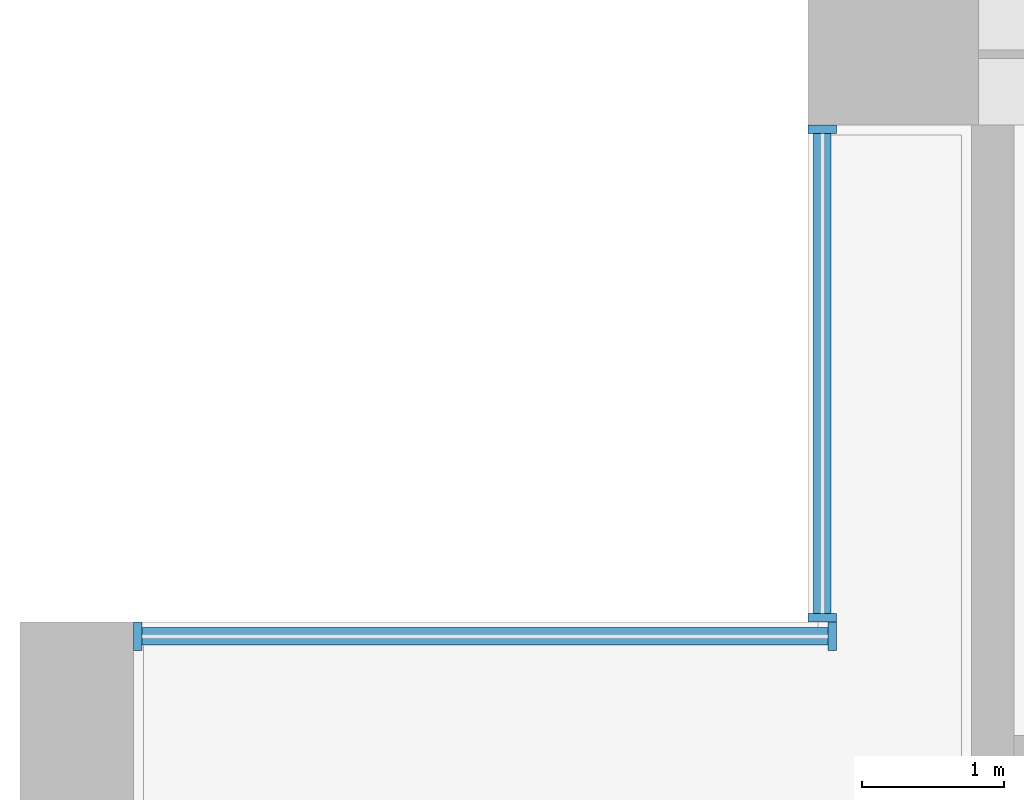
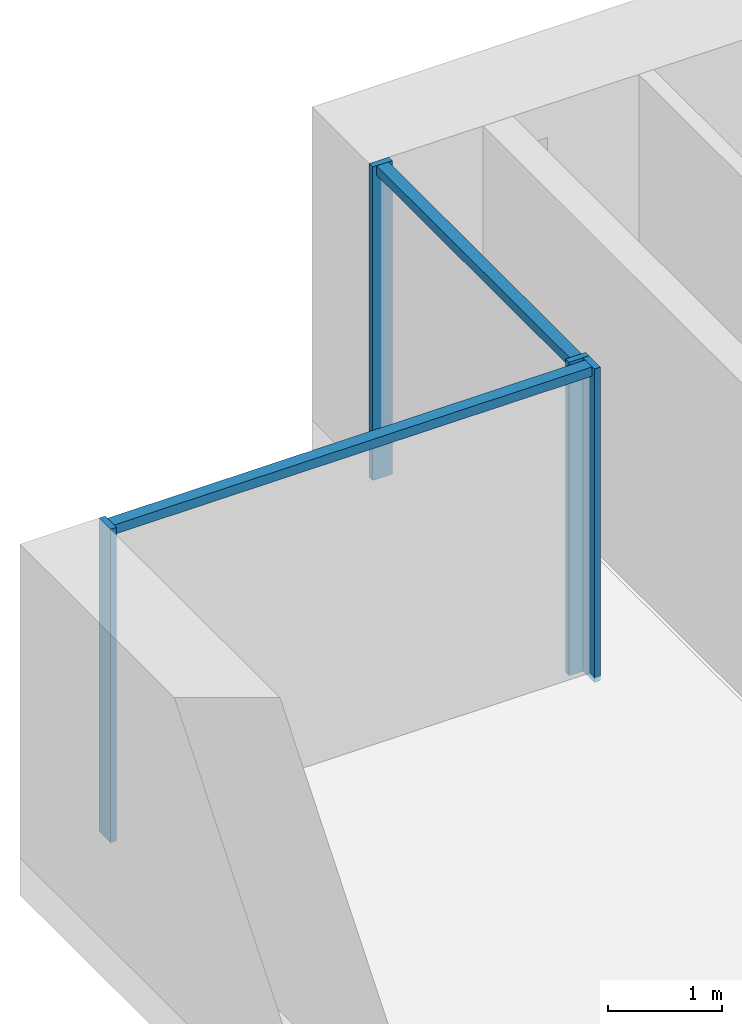
# One storey, part 4 of 18: 6 members, 2 elements without a shape of their own.
"""IFC4 building model written with IfcOpenShell, lengths in metres."""

import ifcopenshell
import ifcopenshell.guid

model = None  # the IFC model being written
_history = None  # IfcOwnerHistory: only IFC2X3 demands one
_inside = {}  # id of a spatial element -> (the spatial element, [elements in it])
_under = {}  # id of a project, library or spatial element -> (it, [spatial elements below it])
_declared = {}  # id of a project -> (the project, [libraries it declares])
_typed = {}  # id of a type object -> (the type object, [elements of that type])
_made_of = {}  # id of a material, layer set ... -> (it, [elements and type objects made of it])


def new_model(schema):
    """Start an empty IFC model of exactly this schema.

    Asked for "IFC4X3", IfcOpenShell would pick the latest addendum, in which some entities
    have other attributes; the version numbers below select the first issue.
    IFC2X3 requires an IfcOwnerHistory on every rooted entity: one is made here for all.
    """
    global model, _history
    if schema == "IFC4X3":
        model = ifcopenshell.file(schema_version=(4, 3, 0, 0))
    else:
        model = ifcopenshell.file(schema=schema)
    _inside.clear()
    _under.clear()
    _declared.clear()
    _typed.clear()
    _made_of.clear()
    _history = None
    if model.schema == "IFC2X3":
        org = make("IfcOrganization", Name="unknown")
        user = make(
            "IfcPersonAndOrganization",
            ThePerson=make("IfcPerson", FamilyName="unknown"),
            TheOrganization=org,
        )
        app = make(
            "IfcApplication",
            ApplicationDeveloper=org,
            Version="unknown",
            ApplicationFullName="unknown",
            ApplicationIdentifier="unknown",
        )
        _history = make(
            "IfcOwnerHistory",
            OwningUser=user,
            OwningApplication=app,
            ChangeAction="ADDED",
            CreationDate=0,
        )
    return model


def make(cls, **values):
    """One entity of the class cls with the attributes given. An attribute that is None is left unset."""
    return model.create_entity(
        cls, **{name: value for name, value in values.items() if value is not None}
    )


def rooted(cls, **values):
    """An entity with a GlobalId (a new one), such as an element, a storey or a relation."""
    return make(cls, GlobalId=ifcopenshell.guid.new(), OwnerHistory=_history, **values)


def si_unit(unit_type, name, prefix=None):
    """IfcSIUnit, for example si_unit("LENGTHUNIT", "METRE", prefix="MILLI")."""
    return make("IfcSIUnit", UnitType=unit_type, Prefix=prefix, Name=name)


def assignment(units):
    """IfcUnitAssignment: the units of a project."""
    return None if units is None else make("IfcUnitAssignment", Units=units)


def point(xyz):
    """IfcCartesianPoint."""
    return None if xyz is None else make("IfcCartesianPoint", Coordinates=xyz)


def direction(xyz):
    """IfcDirection."""
    return None if xyz is None else make("IfcDirection", DirectionRatios=xyz)


def frame(location, z_axis=None, x_axis=None):
    """IfcAxis2Placement3D, a coordinate frame: its origin and axes. An axis left out is left unset."""
    return make(
        "IfcAxis2Placement3D",
        Location=point(location),
        Axis=direction(z_axis),
        RefDirection=direction(x_axis),
    )


def frame_2d(location, x_axis=None):
    """IfcAxis2Placement2D, a coordinate frame in the plane: its origin and x axis."""
    return make(
        "IfcAxis2Placement2D", Location=point(location), RefDirection=direction(x_axis)
    )


def origin():
    """The frame at (0, 0, 0) with its axes left unset."""
    return frame((0.0, 0.0, 0.0))


def origin_2d():
    """The frame at (0, 0) in the plane with its x axis left unset."""
    return frame_2d((0.0, 0.0))


def place(relative_to, where):
    """IfcLocalPlacement: puts the frame where relative to a parent placement (None: the world)."""
    return make(
        "IfcLocalPlacement", PlacementRelTo=relative_to, RelativePlacement=where
    )


def context(
    kind, dimensions, precision=None, world=None, true_north=None, identifier=None
):
    """IfcGeometricRepresentationContext, for example the 3D "Model" context."""
    return make(
        "IfcGeometricRepresentationContext",
        ContextIdentifier=identifier,
        ContextType=kind,
        CoordinateSpaceDimension=dimensions,
        Precision=precision,
        WorldCoordinateSystem=world,
        TrueNorth=true_north,
    )


def subcontext(parent, identifier, kind, view, scale=None):
    """IfcGeometricRepresentationSubContext, for example "Body" below "Model"."""
    return make(
        "IfcGeometricRepresentationSubContext",
        ContextIdentifier=identifier,
        ContextType=kind,
        ParentContext=parent,
        TargetScale=scale,
        TargetView=view,
    )


def project(units=None, contexts=None):
    """IfcProject with its units and contexts."""
    return rooted(
        "IfcProject",
        Name="project",
        RepresentationContexts=contexts,
        UnitsInContext=assignment(units),
    )


def spatial(cls, under=None, at=None, **own):
    """A site, building, storey or space (cls), placed at a placement, below another one or the project."""
    s = rooted(cls, ObjectPlacement=at, **own)
    if under is not None:
        _under.setdefault(under.id(), (under, []))[1].append(s)
    return s


def profile(cls, at=None, kind="AREA", **sizes):
    """A parametric profile (cls). Its sizes go by their IFC names, for example OverallWidth=200.0."""
    return make(cls, ProfileType=kind, Position=at, **sizes)


def rectangle(**sizes):
    """IfcRectangleProfileDef."""
    return profile("IfcRectangleProfileDef", **sizes)


def extrude(swept, where, along, depth):
    """IfcExtrudedAreaSolid: the profile swept, set in the frame where, extruded along a direction by depth."""
    return make(
        "IfcExtrudedAreaSolid",
        SweptArea=swept,
        Position=where,
        ExtrudedDirection=direction(along),
        Depth=depth,
    )


def shape(context_of_items, identifier, shape_type, items):
    """IfcShapeRepresentation: the items that make up one representation, for example the "Body"."""
    return make(
        "IfcShapeRepresentation",
        ContextOfItems=context_of_items,
        RepresentationIdentifier=identifier,
        RepresentationType=shape_type,
        Items=items,
    )


def material(Name=None, Category=None):
    """IfcMaterial."""
    return make("IfcMaterial", Name=Name, Category=Category)


def material_profile(
    of_material, cross_section, Name=None, Category=None, Priority=None
):
    """IfcMaterialProfile: a cross section and its material."""
    return make(
        "IfcMaterialProfile",
        Name=Name,
        Material=of_material,
        Profile=cross_section,
        Priority=Priority,
        Category=Category,
    )


def profile_set(profiles, Name=None, composite=None):
    """IfcMaterialProfileSet."""
    return make(
        "IfcMaterialProfileSet",
        Name=Name,
        MaterialProfiles=profiles,
        CompositeProfile=composite,
    )


def made_of(thing, what):
    """Note that an element or type object is made of a material, layer set ...; save() writes the relation."""
    if what is not None:
        _made_of.setdefault(what.id(), (what, []))[1].append(thing)
    return thing


def type_object(cls, material=None, **own):
    """A type object (cls), such as IfcWallType, which elements share."""
    return made_of(rooted(cls, **own), material)


def element(
    cls,
    number,
    at=None,
    inside=None,
    cuts=None,
    type_object=None,
    material=None,
    context=None,
    identifier="Body",
    shape_type=None,
    held_by="IfcProductDefinitionShape",
    body=None,
    shapes=None,
    **own,
):
    """One element of the class cls, such as IfcWall. Its Tag is "e" and its number.

    at: its placement. inside: the storey or other place that contains it. cuts: it is an
    opening in that element (IfcRelVoidsElement). A single representation is given by context,
    identifier, shape_type and body (its items); several are given by shapes. held_by: the class
    of the entity that holds the representations. save() writes the other relations.
    """
    e = rooted(cls, Tag="e%d" % number, ObjectPlacement=at, **own)
    if body is not None:
        shapes = [shape(context, identifier, shape_type, body)]
    if shapes is not None:
        e.Representation = make(held_by, Representations=shapes)
    if inside is not None:
        _inside.setdefault(inside.id(), (inside, []))[1].append(e)
    if cuts is not None:
        rooted(
            "IfcRelVoidsElement", RelatingBuildingElement=cuts, RelatedOpeningElement=e
        )
    if type_object is not None:
        _typed.setdefault(type_object.id(), (type_object, []))[1].append(e)
    return made_of(e, material)


def aggregate(whole, parts):
    """IfcRelAggregates: a whole, such as a stair, and the parts it consists of."""
    return rooted("IfcRelAggregates", RelatingObject=whole, RelatedObjects=parts)


def save(model, path):
    """Write the relations noted so far, then the file.

    IfcRelAggregates (storeys below a building ...), IfcRelContainedInSpatialStructure (elements
    in a storey), IfcRelDefinesByType, IfcRelAssociatesMaterial and IfcRelDeclares: one each for
    every whole, place, type object, material and project.
    """
    for whole, parts in _under.values():
        aggregate(whole, parts)
    for where, things in _inside.values():
        rooted(
            "IfcRelContainedInSpatialStructure",
            RelatedElements=things,
            RelatingStructure=where,
        )
    for kind, things in _typed.values():
        rooted("IfcRelDefinesByType", RelatedObjects=things, RelatingType=kind)
    for what, things in _made_of.values():
        rooted("IfcRelAssociatesMaterial", RelatedObjects=things, RelatingMaterial=what)
    for by, libraries in _declared.values():
        rooted("IfcRelDeclares", RelatingContext=by, RelatedDefinitions=libraries)
    model.write(path)


model = new_model("IFC4")

# Units and contexts
model_context = context("Model", 3, precision=1e-05, world=origin(), true_north=direction((0.0, 1.0)))
body_context = subcontext(model_context, "Body", "Model", "MODEL_VIEW")
ifc_project = project(units=[si_unit("LENGTHUNIT", "METRE"), si_unit("AREAUNIT", "SQUARE_METRE"), si_unit("VOLUMEUNIT", "CUBIC_METRE"), si_unit("PLANEANGLEUNIT", "RADIAN"), si_unit("MASSUNIT", "GRAM", prefix="KILO")], contexts=[model_context])

# Site, building, storey
site_placement = place(None, origin())
site = spatial("IfcSite", under=ifc_project, at=site_placement, CompositionType="ELEMENT")
building_placement = place(site_placement, origin())
building = spatial("IfcBuilding", under=site, at=building_placement, Name="Calvaro Tower", CompositionType="ELEMENT")
storey_placement = place(building_placement, frame((0.0, 0.0, 26.25)))
storey = spatial("IfcBuildingStorey", under=building, at=storey_placement, Name="L05", CompositionType="ELEMENT", Elevation=26.25)

# Curtain wall, members
ifc_material_1 = material(Name="Anodised aluminium", Category="aluminium")
curtain_wall_type = type_object("IfcCurtainWallType", Name="Office curtain wall, lower zone", PredefinedType="NOTDEFINED", material=ifc_material_1)
curtain_wall_1_placement = place(storey_placement, origin())
curtain_wall_1 = element("IfcCurtainWall", 1, at=curtain_wall_1_placement, inside=storey, type_object=curtain_wall_type, Name="CW1 corner curtain wall", PredefinedType="NOTDEFINED")
ifc_material_2 = material(Name="Anodised aluminium", Category="aluminium")
ifc_material_profile_1 = material_profile(ifc_material_2, rectangle(XDim=0.199951171875, YDim=0.06005859375, at=origin_2d()), Name="Mullion S1 60 x 200")
ifc_profile_set_1 = profile_set([ifc_material_profile_1], Name="Anodised aluminium")
member_type_1 = type_object("IfcMemberType", Name="Mullion S1 60 x 200", PredefinedType="MULLION", material=ifc_profile_set_1)
member_1_placement = place(storey_placement, frame((5.64990234375, 41.530029296875, 0.0), z_axis=(0.0, 0.0, 1.0), x_axis=(-1.0, 0.0, 0.0)))
member_1 = element("IfcMember", 2, at=member_1_placement, type_object=member_type_1, Name="CW1 mullion 1", PredefinedType="MULLION", context=body_context, shape_type="SweptSolid", body=[
    extrude(rectangle(XDim=0.199951171875, YDim=0.06005859375, at=origin_2d()), origin(), (0.0, 0.0, 1.0), 3.35009765625),
])
member_2_placement = place(storey_placement, frame((5.64990234375, 44.969970703125, 0.0), z_axis=(0.0, 0.0, 1.0), x_axis=(-1.0, 0.0, 0.0)))
member_2 = element("IfcMember", 3, at=member_2_placement, type_object=member_type_1, Name="CW1 mullion 2", PredefinedType="MULLION", context=body_context, shape_type="SweptSolid", body=[
    extrude(rectangle(XDim=0.199951171875, YDim=0.06005859375, at=origin_2d()), origin(), (0.0, 0.0, 1.0), 3.35009765625),
])

curtain_wall_2_placement = place(storey_placement, origin())
curtain_wall_2 = element("IfcCurtainWall", 4, at=curtain_wall_2_placement, inside=storey, type_object=curtain_wall_type, Name="CW1 corner curtain wall", PredefinedType="NOTDEFINED")
member_3_placement = place(storey_placement, frame((0.830078125, 41.39990234375, 0.0), z_axis=(0.0, 0.0, 1.0), x_axis=(0.0, 1.0, 0.0)))
member_3 = element("IfcMember", 5, at=member_3_placement, type_object=member_type_1, Name="CW1 mullion 1", PredefinedType="MULLION", context=body_context, shape_type="SweptSolid", body=[
    extrude(rectangle(XDim=0.199951171875, YDim=0.06005859375, at=origin_2d()), origin(), (0.0, 0.0, 1.0), 3.35009765625),
])
member_4_placement = place(storey_placement, frame((5.719970703125, 41.39990234375, 0.0), z_axis=(0.0, 0.0, 1.0), x_axis=(0.0, 1.0, 0.0)))
member_4 = element("IfcMember", 6, at=member_4_placement, type_object=member_type_1, Name="CW1 mullion 2", PredefinedType="MULLION", context=body_context, shape_type="SweptSolid", body=[
    extrude(rectangle(XDim=0.199951171875, YDim=0.06005859375, at=origin_2d()), origin(), (0.0, 0.0, 1.0), 3.35009765625),
])

# Member
ifc_material_3 = material(Name="Anodised aluminium", Category="aluminium")
ifc_material_profile_2 = material_profile(ifc_material_3, rectangle(XDim=0.1201171875, YDim=0.10009765625, at=origin_2d()), Name="Transom S1 100 x 120")
ifc_profile_set_2 = profile_set([ifc_material_profile_2], Name="Anodised aluminium")
member_type_2 = type_object("IfcMemberType", Name="Transom S1 100 x 120", PredefinedType="USERDEFINED", material=ifc_profile_set_2)
member_5_placement = place(storey_placement, frame((5.64990234375, 41.56005859375, 3.300048828125), z_axis=(0.0, 1.0, 0.0), x_axis=(-1.0, 0.0, 0.0)))
member_5 = element("IfcMember", 7, at=member_5_placement, type_object=member_type_2, Name="CW1 transom 1.1", ObjectType="TRANSOM", PredefinedType="USERDEFINED", context=body_context, shape_type="SweptSolid", body=[
    extrude(rectangle(XDim=0.1201171875, YDim=0.10009765625, at=origin_2d()), origin(), (0.0, 0.0, 1.0), 3.3798828125),
])

aggregate(curtain_wall_1, [member_1, member_2, member_5])

member_6_placement = place(storey_placement, frame((0.860107421875, 41.39990234375, 3.300048828125), z_axis=(1.0, 0.0, 0.0), x_axis=(0.0, 1.0, 0.0)))
member_6 = element("IfcMember", 8, at=member_6_placement, type_object=member_type_2, Name="CW1 transom 1.1", ObjectType="TRANSOM", PredefinedType="USERDEFINED", context=body_context, shape_type="SweptSolid", body=[
    extrude(rectangle(XDim=0.1201171875, YDim=0.10009765625, at=origin_2d()), origin(), (0.0, 0.0, 1.0), 4.829833984375),
])

aggregate(curtain_wall_2, [member_3, member_4, member_6])

save(model, "model.ifc")
